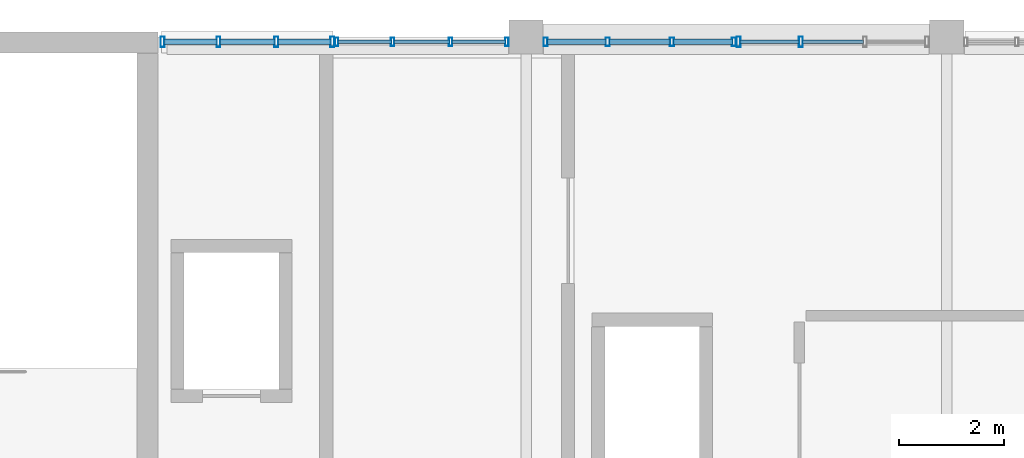
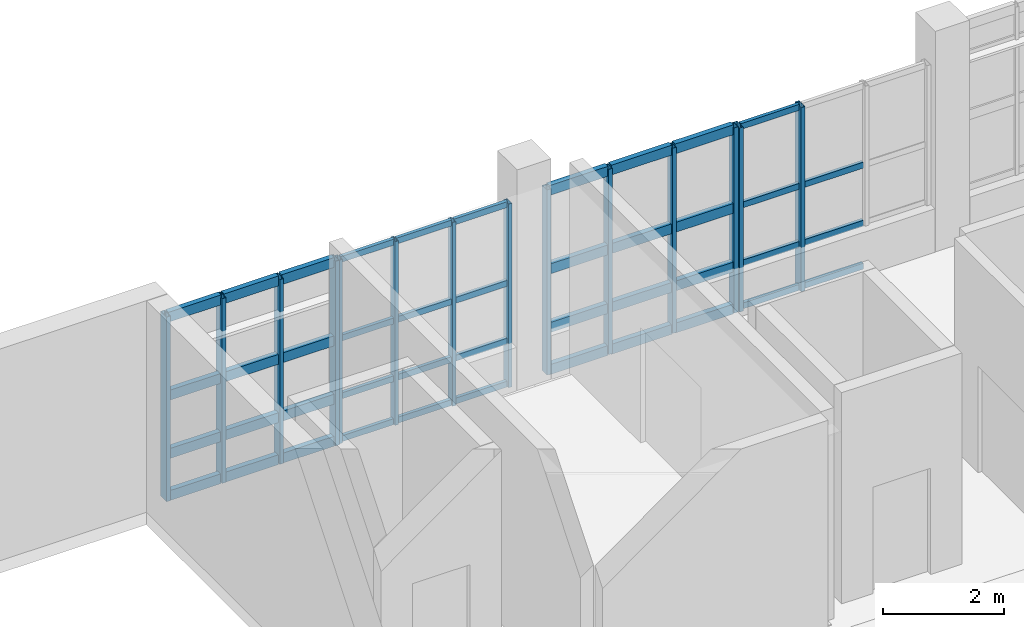
# One storey, part 15 of 38: 57 members, 4 elements without a shape of their own.
"""IFC4 building model written with IfcOpenShell, lengths in metres."""

from ifc_helpers import new_model, si_unit, derived_unit, direction, frame, origin, origin_2d, place, context, subcontext, project, spatial, hollow_rectangle, extrude, material, layer, layer_set, material_profile, profile_set, type_object, element, aggregate, save


model = new_model("IFC4")

# Units and contexts
model_context = context("Model", 3, precision=1e-05, world=origin(), true_north=direction((0.0, 1.0)))
body_context = subcontext(model_context, "Body", "Model", "MODEL_VIEW")
ifc_project = project(units=[si_unit("LENGTHUNIT", "METRE"), si_unit("AREAUNIT", "SQUARE_METRE"), si_unit("VOLUMEUNIT", "CUBIC_METRE"), si_unit("PLANEANGLEUNIT", "RADIAN"), si_unit("MASSUNIT", "GRAM", prefix="KILO"), derived_unit("THERMALTRANSMITTANCEUNIT", [(si_unit("POWERUNIT", "WATT"), 1), (si_unit("LENGTHUNIT", "METRE"), -2), (si_unit("THERMODYNAMICTEMPERATUREUNIT", "KELVIN"), -1)])], contexts=[model_context])

# Site, building, storey
site_placement = place(None, origin())
site = spatial("IfcSite", under=ifc_project, at=site_placement, CompositionType="ELEMENT")
building_placement = place(site_placement, origin())
building = spatial("IfcBuilding", under=site, at=building_placement, Name="Nallur Shell Playhouse", CompositionType="ELEMENT")
storey_placement = place(building_placement, frame((0.0, 0.0, 24.300048828125)))
storey = spatial("IfcBuildingStorey", under=building, at=storey_placement, Name="L06", CompositionType="ELEMENT", Elevation=24.300048828125)

# Curtain wall, members
ifc_material_1 = material(Name="Anodised Aluminium Double-Glazed Facade System", Category="aluminium")
ifc_layer_1 = layer(ifc_material_1, 0.16796875)
ifc_layer_set_1 = layer_set([ifc_layer_1], Name="Anodised Aluminium Double-Glazed Facade System")
curtain_wall_type_1 = type_object("IfcCurtainWallType", Name="CW-UNIT-02", PredefinedType="NOTDEFINED", material=ifc_layer_set_1)
curtain_wall_1_placement = place(storey_placement, origin())
curtain_wall_1 = element("IfcCurtainWall", 1, at=curtain_wall_1_placement, inside=storey, type_object=curtain_wall_type_1, Name="Unitised curtain wall CW-194 (L06)", PredefinedType="NOTDEFINED")
ifc_material_2 = material(Name="Aluminium Alloy 6063-T6 Mullion", Category="aluminium")
ifc_material_profile_1 = material_profile(ifc_material_2, hollow_rectangle(XDim=0.080078125, YDim=0.159912109375, WallThickness=0.006103515625, at=origin_2d()), Name="RHS 160x80x6")
ifc_profile_set_1 = profile_set([ifc_material_profile_1], Name="Aluminium Alloy 6063-T6 Mullion")
member_type_1 = type_object("IfcMemberType", Name="MB-CW-MUL150", PredefinedType="MULLION", material=ifc_profile_set_1)
member_1_placement = place(storey_placement, frame((40.373046875, 82.909912109375, -0.01513671875), z_axis=(0.0, 0.0, 1.0), x_axis=(1.0, 0.0, 0.0)))
member_1 = element("IfcMember", 2, at=member_1_placement, type_object=member_type_1, Name="CW-02 mullion 1", PredefinedType="MULLION", context=body_context, shape_type="SweptSolid", body=[
    extrude(hollow_rectangle(XDim=0.080078125, YDim=0.159912109375, WallThickness=0.006103515625, at=origin_2d()), origin(), (0.0, 0.0, 1.0), 3.744140625),
])
member_2_placement = place(storey_placement, frame((41.5537109375, 82.909912109375, -0.01513671875), z_axis=(0.0, 0.0, 1.0), x_axis=(1.0, 0.0, 0.0)))
member_2 = element("IfcMember", 3, at=member_2_placement, type_object=member_type_1, Name="CW-02 mullion 2", PredefinedType="MULLION", context=body_context, shape_type="SweptSolid", body=[
    extrude(hollow_rectangle(XDim=0.080078125, YDim=0.159912109375, WallThickness=0.006103515625, at=origin_2d()), origin(), (0.0, 0.0, 1.0), 3.744140625),
])
member_3_placement = place(storey_placement, frame((42.7744140625, 82.909912109375, -0.01513671875), z_axis=(0.0, 0.0, 1.0), x_axis=(1.0, 0.0, 0.0)))
member_3 = element("IfcMember", 4, at=member_3_placement, type_object=member_type_1, Name="CW-02 mullion 3", PredefinedType="MULLION", context=body_context, shape_type="SweptSolid", body=[
    extrude(hollow_rectangle(XDim=0.080078125, YDim=0.159912109375, WallThickness=0.006103515625, at=origin_2d()), origin(), (0.0, 0.0, 1.0), 3.744140625),
])
member_4_placement = place(storey_placement, frame((43.955078125, 82.909912109375, -0.01513671875), z_axis=(0.0, 0.0, 1.0), x_axis=(1.0, 0.0, 0.0)))
member_4 = element("IfcMember", 5, at=member_4_placement, type_object=member_type_1, Name="CW-02 mullion 4", PredefinedType="MULLION", context=body_context, shape_type="SweptSolid", body=[
    extrude(hollow_rectangle(XDim=0.080078125, YDim=0.159912109375, WallThickness=0.006103515625, at=origin_2d()), origin(), (0.0, 0.0, 1.0), 3.744140625),
])

ifc_layer_2 = layer(ifc_material_1, 0.1640625)
ifc_layer_set_2 = layer_set([ifc_layer_2], Name="Anodised Aluminium Double-Glazed Facade System")
curtain_wall_type_2 = type_object("IfcCurtainWallType", Name="CW-UNIT-01", PredefinedType="NOTDEFINED", material=ifc_layer_set_2)
curtain_wall_2_placement = place(storey_placement, origin())
curtain_wall_2 = element("IfcCurtainWall", 6, at=curtain_wall_2_placement, inside=storey, type_object=curtain_wall_type_2, Name="Unitised curtain wall CW-193 (L06)", PredefinedType="NOTDEFINED")
ifc_material_profile_2 = material_profile(ifc_material_2, hollow_rectangle(XDim=0.06494140625, YDim=0.159912109375, WallThickness=0.00390625, at=origin_2d()), Name="ALU 65x160x4")
ifc_profile_set_2 = profile_set([ifc_material_profile_2], Name="Aluminium Alloy 6063-T6 Mullion")
member_type_2 = type_object("IfcMemberType", Name="MB-CW-MUL160", PredefinedType="MULLION", material=ifc_profile_set_2)
member_5_placement = place(storey_placement, frame((36.39599609375, 82.909912109375, -0.01513671875), z_axis=(0.0, 0.0, 1.0), x_axis=(1.0, 0.0, 0.0)))
member_5 = element("IfcMember", 7, at=member_5_placement, type_object=member_type_2, Name="CW-01 mullion 1", PredefinedType="MULLION", context=body_context, shape_type="SweptSolid", body=[
    extrude(hollow_rectangle(XDim=0.06494140625, YDim=0.159912109375, WallThickness=0.00390625, at=origin_2d()), origin(), (0.0, 0.0, 1.0), 3.714111328125),
])
member_6_placement = place(storey_placement, frame((37.464599609375, 82.909912109375, -0.01513671875), z_axis=(0.0, 0.0, 1.0), x_axis=(1.0, 0.0, 0.0)))
member_6 = element("IfcMember", 8, at=member_6_placement, type_object=member_type_2, Name="CW-01 mullion 2", PredefinedType="MULLION", context=body_context, shape_type="SweptSolid", body=[
    extrude(hollow_rectangle(XDim=0.06494140625, YDim=0.159912109375, WallThickness=0.00390625, at=origin_2d()), origin(), (0.0, 0.0, 1.0), 3.714111328125),
])
member_7_placement = place(storey_placement, frame((38.56591796875, 82.909912109375, -0.01513671875), z_axis=(0.0, 0.0, 1.0), x_axis=(1.0, 0.0, 0.0)))
member_7 = element("IfcMember", 9, at=member_7_placement, type_object=member_type_2, Name="CW-01 mullion 3", PredefinedType="MULLION", context=body_context, shape_type="SweptSolid", body=[
    extrude(hollow_rectangle(XDim=0.06494140625, YDim=0.159912109375, WallThickness=0.00390625, at=origin_2d()), origin(), (0.0, 0.0, 1.0), 3.714111328125),
])
member_8_placement = place(storey_placement, frame((39.634521484375, 82.909912109375, -0.01513671875), z_axis=(0.0, 0.0, 1.0), x_axis=(1.0, 0.0, 0.0)))
member_8 = element("IfcMember", 10, at=member_8_placement, type_object=member_type_2, Name="CW-01 mullion 4", PredefinedType="MULLION", context=body_context, shape_type="SweptSolid", body=[
    extrude(hollow_rectangle(XDim=0.06494140625, YDim=0.159912109375, WallThickness=0.00390625, at=origin_2d()), origin(), (0.0, 0.0, 1.0), 3.714111328125),
])

ifc_layer_3 = layer(ifc_material_1, 0.16796875)
ifc_layer_set_3 = layer_set([ifc_layer_3], Name="Anodised Aluminium Double-Glazed Facade System")
curtain_wall_type_3 = type_object("IfcCurtainWallType", Name="CW-UNIT-32", PredefinedType="NOTDEFINED", material=ifc_layer_set_3)
curtain_wall_3_placement = place(storey_placement, origin())
curtain_wall_3 = element("IfcCurtainWall", 11, at=curtain_wall_3_placement, inside=storey, type_object=curtain_wall_type_3, Name="Unitised curtain wall CW-192 (L06)", PredefinedType="NOTDEFINED")
ifc_material_profile_3 = material_profile(ifc_material_2, hollow_rectangle(XDim=0.074951171875, YDim=0.199951171875, WallThickness=0.0048828125, at=origin_2d()), Name="ALU 75x200x5")
ifc_profile_set_3 = profile_set([ifc_material_profile_3], Name="Aluminium Alloy 6063-T6 Mullion")
member_type_3 = type_object("IfcMemberType", Name="MB-CW-MUL180", PredefinedType="MULLION", material=ifc_profile_set_3)
member_9_placement = place(storey_placement, frame((33.08740234375, 82.909912109375, -0.01513671875), z_axis=(0.0, 0.0, 1.0), x_axis=(1.0, 0.0, 0.0)))
member_9 = element("IfcMember", 12, at=member_9_placement, type_object=member_type_3, Name="CW-32 mullion 1", PredefinedType="MULLION", context=body_context, shape_type="SweptSolid", body=[
    extrude(hollow_rectangle(XDim=0.074951171875, YDim=0.199951171875, WallThickness=0.0048828125, at=origin_2d()), origin(), (0.0, 0.0, 1.0), 3.734130859375),
])
member_10_placement = place(storey_placement, frame((34.151123046875, 82.909912109375, -0.01513671875), z_axis=(0.0, 0.0, 1.0), x_axis=(1.0, 0.0, 0.0)))
member_10 = element("IfcMember", 13, at=member_10_placement, type_object=member_type_3, Name="CW-32 mullion 2", PredefinedType="MULLION", context=body_context, shape_type="SweptSolid", body=[
    extrude(hollow_rectangle(XDim=0.074951171875, YDim=0.199951171875, WallThickness=0.0048828125, at=origin_2d()), origin(), (0.0, 0.0, 1.0), 3.734130859375),
])
member_11_placement = place(storey_placement, frame((35.25244140625, 82.909912109375, -0.01513671875), z_axis=(0.0, 0.0, 1.0), x_axis=(1.0, 0.0, 0.0)))
member_11 = element("IfcMember", 14, at=member_11_placement, type_object=member_type_3, Name="CW-32 mullion 3", PredefinedType="MULLION", context=body_context, shape_type="SweptSolid", body=[
    extrude(hollow_rectangle(XDim=0.074951171875, YDim=0.199951171875, WallThickness=0.0048828125, at=origin_2d()), origin(), (0.0, 0.0, 1.0), 3.734130859375),
])
member_12_placement = place(storey_placement, frame((36.31591796875, 82.909912109375, -0.01513671875), z_axis=(0.0, 0.0, 1.0), x_axis=(1.0, 0.0, 0.0)))
member_12 = element("IfcMember", 15, at=member_12_placement, type_object=member_type_3, Name="CW-32 mullion 4", PredefinedType="MULLION", context=body_context, shape_type="SweptSolid", body=[
    extrude(hollow_rectangle(XDim=0.074951171875, YDim=0.199951171875, WallThickness=0.0048828125, at=origin_2d()), origin(), (0.0, 0.0, 1.0), 3.734130859375),
])

ifc_layer_4 = layer(ifc_material_1, 0.172119140625)
ifc_layer_set_4 = layer_set([ifc_layer_4], Name="Anodised Aluminium Double-Glazed Facade System")
curtain_wall_type_4 = type_object("IfcCurtainWallType", Name="CW-UNIT-03", PredefinedType="NOTDEFINED", material=ifc_layer_set_4)
curtain_wall_4_placement = place(storey_placement, origin())
curtain_wall_4 = element("IfcCurtainWall", 16, at=curtain_wall_4_placement, inside=storey, type_object=curtain_wall_type_4, Name="Unitised curtain wall CW-195 (L06)", PredefinedType="NOTDEFINED")
member_13_placement = place(storey_placement, frame((44.04248046875, 82.909912109375, -0.01513671875), z_axis=(0.0, 0.0, 1.0), x_axis=(1.0, 0.0, 0.0)))
member_13 = element("IfcMember", 17, at=member_13_placement, type_object=member_type_3, Name="CW-03 mullion 1", PredefinedType="MULLION", context=body_context, shape_type="SweptSolid", body=[
    extrude(hollow_rectangle(XDim=0.074951171875, YDim=0.199951171875, WallThickness=0.0048828125, at=origin_2d()), origin(), (0.0, 0.0, 1.0), 3.72412109375),
])
member_14_placement = place(storey_placement, frame((45.2255859375, 82.909912109375, -0.01513671875), z_axis=(0.0, 0.0, 1.0), x_axis=(1.0, 0.0, 0.0)))
member_14 = element("IfcMember", 18, at=member_14_placement, type_object=member_type_3, Name="CW-03 mullion 2", PredefinedType="MULLION", context=body_context, shape_type="SweptSolid", body=[
    extrude(hollow_rectangle(XDim=0.074951171875, YDim=0.199951171875, WallThickness=0.0048828125, at=origin_2d()), origin(), (0.0, 0.0, 1.0), 3.72412109375),
])

# Member
ifc_material_3 = material(Name="Aluminium Alloy 6063-T6 Transom", Category="aluminium")
ifc_material_profile_4 = material_profile(ifc_material_3, hollow_rectangle(XDim=0.06494140625, YDim=0.1201171875, WallThickness=0.00390625, at=origin_2d()), Name="ALU 65x120x4")
ifc_profile_set_4 = profile_set([ifc_material_profile_4], Name="Aluminium Alloy 6063-T6 Transom")
member_type_4 = type_object("IfcMemberType", Name="MB-CW-TRN120", PredefinedType="USERDEFINED", material=ifc_profile_set_4)
member_15_placement = place(storey_placement, frame((36.42041015625, 82.909912109375, 0.032470703125), z_axis=(1.0, 0.0, 0.0), x_axis=(0.0, 1.0, 0.0)))
member_15 = element("IfcMember", 19, at=member_15_placement, type_object=member_type_4, Name="CW-01 transom 1.1", ObjectType="TRANSOM", PredefinedType="USERDEFINED", context=body_context, shape_type="SweptSolid", body=[
    extrude(hollow_rectangle(XDim=0.06494140625, YDim=0.1201171875, WallThickness=0.00390625, at=origin_2d()), origin(), (0.0, 0.0, 1.0), 1.019775390625),
])

member_16_placement = place(storey_placement, frame((36.42041015625, 82.909912109375, 0.89990234375), z_axis=(1.0, 0.0, 0.0), x_axis=(0.0, 1.0, 0.0)))
member_16 = element("IfcMember", 20, at=member_16_placement, type_object=member_type_4, Name="CW-01 transom 1.2", ObjectType="TRANSOM", PredefinedType="USERDEFINED", context=body_context, shape_type="SweptSolid", body=[
    extrude(hollow_rectangle(XDim=0.06494140625, YDim=0.1201171875, WallThickness=0.00390625, at=origin_2d()), origin(), (0.0, 0.0, 1.0), 1.019775390625),
])

member_17_placement = place(storey_placement, frame((36.42041015625, 82.909912109375, 2.06884765625), z_axis=(1.0, 0.0, 0.0), x_axis=(0.0, 1.0, 0.0)))
member_17 = element("IfcMember", 21, at=member_17_placement, type_object=member_type_4, Name="CW-01 transom 1.3", ObjectType="TRANSOM", PredefinedType="USERDEFINED", context=body_context, shape_type="SweptSolid", body=[
    extrude(hollow_rectangle(XDim=0.06494140625, YDim=0.1201171875, WallThickness=0.00390625, at=origin_2d()), origin(), (0.0, 0.0, 1.0), 1.019775390625),
])

member_18_placement = place(storey_placement, frame((36.42041015625, 82.909912109375, 3.662353515625), z_axis=(1.0, 0.0, 0.0), x_axis=(0.0, 1.0, 0.0)))
member_18 = element("IfcMember", 22, at=member_18_placement, type_object=member_type_4, Name="CW-01 transom 1.4", ObjectType="TRANSOM", PredefinedType="USERDEFINED", context=body_context, shape_type="SweptSolid", body=[
    extrude(hollow_rectangle(XDim=0.06494140625, YDim=0.1201171875, WallThickness=0.00390625, at=origin_2d()), origin(), (0.0, 0.0, 1.0), 1.019775390625),
])

member_19_placement = place(storey_placement, frame((37.4892578125, 82.909912109375, 0.032470703125), z_axis=(1.0, 0.0, 0.0), x_axis=(0.0, 1.0, 0.0)))
member_19 = element("IfcMember", 23, at=member_19_placement, type_object=member_type_4, Name="CW-01 transom 2.1", ObjectType="TRANSOM", PredefinedType="USERDEFINED", context=body_context, shape_type="SweptSolid", body=[
    extrude(hollow_rectangle(XDim=0.06494140625, YDim=0.1201171875, WallThickness=0.00390625, at=origin_2d()), origin(), (0.0, 0.0, 1.0), 1.052001953125),
])

member_20_placement = place(storey_placement, frame((37.4892578125, 82.909912109375, 0.89990234375), z_axis=(1.0, 0.0, 0.0), x_axis=(0.0, 1.0, 0.0)))
member_20 = element("IfcMember", 24, at=member_20_placement, type_object=member_type_4, Name="CW-01 transom 2.2", ObjectType="TRANSOM", PredefinedType="USERDEFINED", context=body_context, shape_type="SweptSolid", body=[
    extrude(hollow_rectangle(XDim=0.06494140625, YDim=0.1201171875, WallThickness=0.00390625, at=origin_2d()), origin(), (0.0, 0.0, 1.0), 1.052001953125),
])

member_21_placement = place(storey_placement, frame((37.4892578125, 82.909912109375, 2.06884765625), z_axis=(1.0, 0.0, 0.0), x_axis=(0.0, 1.0, 0.0)))
member_21 = element("IfcMember", 25, at=member_21_placement, type_object=member_type_4, Name="CW-01 transom 2.3", ObjectType="TRANSOM", PredefinedType="USERDEFINED", context=body_context, shape_type="SweptSolid", body=[
    extrude(hollow_rectangle(XDim=0.06494140625, YDim=0.1201171875, WallThickness=0.00390625, at=origin_2d()), origin(), (0.0, 0.0, 1.0), 1.052001953125),
])

member_22_placement = place(storey_placement, frame((37.4892578125, 82.909912109375, 3.662353515625), z_axis=(1.0, 0.0, 0.0), x_axis=(0.0, 1.0, 0.0)))
member_22 = element("IfcMember", 26, at=member_22_placement, type_object=member_type_4, Name="CW-01 transom 2.4", ObjectType="TRANSOM", PredefinedType="USERDEFINED", context=body_context, shape_type="SweptSolid", body=[
    extrude(hollow_rectangle(XDim=0.06494140625, YDim=0.1201171875, WallThickness=0.00390625, at=origin_2d()), origin(), (0.0, 0.0, 1.0), 1.052001953125),
])

member_23_placement = place(storey_placement, frame((38.59033203125, 82.909912109375, 0.032470703125), z_axis=(1.0, 0.0, 0.0), x_axis=(0.0, 1.0, 0.0)))
member_23 = element("IfcMember", 27, at=member_23_placement, type_object=member_type_4, Name="CW-01 transom 3.1", ObjectType="TRANSOM", PredefinedType="USERDEFINED", context=body_context, shape_type="SweptSolid", body=[
    extrude(hollow_rectangle(XDim=0.06494140625, YDim=0.1201171875, WallThickness=0.00390625, at=origin_2d()), origin(), (0.0, 0.0, 1.0), 1.019775390625),
])

member_24_placement = place(storey_placement, frame((38.59033203125, 82.909912109375, 0.89990234375), z_axis=(1.0, 0.0, 0.0), x_axis=(0.0, 1.0, 0.0)))
member_24 = element("IfcMember", 28, at=member_24_placement, type_object=member_type_4, Name="CW-01 transom 3.2", ObjectType="TRANSOM", PredefinedType="USERDEFINED", context=body_context, shape_type="SweptSolid", body=[
    extrude(hollow_rectangle(XDim=0.06494140625, YDim=0.1201171875, WallThickness=0.00390625, at=origin_2d()), origin(), (0.0, 0.0, 1.0), 1.019775390625),
])

member_25_placement = place(storey_placement, frame((38.59033203125, 82.909912109375, 2.06884765625), z_axis=(1.0, 0.0, 0.0), x_axis=(0.0, 1.0, 0.0)))
member_25 = element("IfcMember", 29, at=member_25_placement, type_object=member_type_4, Name="CW-01 transom 3.3", ObjectType="TRANSOM", PredefinedType="USERDEFINED", context=body_context, shape_type="SweptSolid", body=[
    extrude(hollow_rectangle(XDim=0.06494140625, YDim=0.1201171875, WallThickness=0.00390625, at=origin_2d()), origin(), (0.0, 0.0, 1.0), 1.019775390625),
])

member_26_placement = place(storey_placement, frame((38.59033203125, 82.909912109375, 3.662353515625), z_axis=(1.0, 0.0, 0.0), x_axis=(0.0, 1.0, 0.0)))
member_26 = element("IfcMember", 30, at=member_26_placement, type_object=member_type_4, Name="CW-01 transom 3.4", ObjectType="TRANSOM", PredefinedType="USERDEFINED", context=body_context, shape_type="SweptSolid", body=[
    extrude(hollow_rectangle(XDim=0.06494140625, YDim=0.1201171875, WallThickness=0.00390625, at=origin_2d()), origin(), (0.0, 0.0, 1.0), 1.019775390625),
])

aggregate(curtain_wall_2, [member_5, member_6, member_7, member_8, member_15, member_16, member_17, member_18, member_19, member_20, member_21, member_22, member_23, member_24, member_25, member_26])

member_27_placement = place(storey_placement, frame((44.072021484375, 82.909912109375, 0.032470703125), z_axis=(1.0, 0.0, 0.0), x_axis=(0.0, 1.0, 0.0)))
member_27 = element("IfcMember", 31, at=member_27_placement, type_object=member_type_4, Name="CW-03 transom 1.1", ObjectType="TRANSOM", PredefinedType="USERDEFINED", context=body_context, shape_type="SweptSolid", body=[
    extrude(hollow_rectangle(XDim=0.06494140625, YDim=0.1201171875, WallThickness=0.00390625, at=origin_2d()), origin(), (0.0, 0.0, 1.0), 1.1240234375),
])

member_28_placement = place(storey_placement, frame((44.072021484375, 82.909912109375, 0.89990234375), z_axis=(1.0, 0.0, 0.0), x_axis=(0.0, 1.0, 0.0)))
member_28 = element("IfcMember", 32, at=member_28_placement, type_object=member_type_4, Name="CW-03 transom 1.2", ObjectType="TRANSOM", PredefinedType="USERDEFINED", context=body_context, shape_type="SweptSolid", body=[
    extrude(hollow_rectangle(XDim=0.06494140625, YDim=0.1201171875, WallThickness=0.00390625, at=origin_2d()), origin(), (0.0, 0.0, 1.0), 1.1240234375),
])

member_29_placement = place(storey_placement, frame((44.072021484375, 82.909912109375, 2.074951171875), z_axis=(1.0, 0.0, 0.0), x_axis=(0.0, 1.0, 0.0)))
member_29 = element("IfcMember", 33, at=member_29_placement, type_object=member_type_4, Name="CW-03 transom 1.3", ObjectType="TRANSOM", PredefinedType="USERDEFINED", context=body_context, shape_type="SweptSolid", body=[
    extrude(hollow_rectangle(XDim=0.06494140625, YDim=0.1201171875, WallThickness=0.00390625, at=origin_2d()), origin(), (0.0, 0.0, 1.0), 1.1240234375),
])

member_30_placement = place(storey_placement, frame((44.072021484375, 82.909912109375, 3.67236328125), z_axis=(1.0, 0.0, 0.0), x_axis=(0.0, 1.0, 0.0)))
member_30 = element("IfcMember", 34, at=member_30_placement, type_object=member_type_4, Name="CW-03 transom 1.4", ObjectType="TRANSOM", PredefinedType="USERDEFINED", context=body_context, shape_type="SweptSolid", body=[
    extrude(hollow_rectangle(XDim=0.06494140625, YDim=0.1201171875, WallThickness=0.00390625, at=origin_2d()), origin(), (0.0, 0.0, 1.0), 1.1240234375),
])

member_31_placement = place(storey_placement, frame((45.255126953125, 82.909912109375, 0.032470703125), z_axis=(1.0, 0.0, 0.0), x_axis=(0.0, 1.0, 0.0)))
member_31 = element("IfcMember", 35, at=member_31_placement, type_object=member_type_4, Name="CW-03 transom 2.1", ObjectType="TRANSOM", PredefinedType="USERDEFINED", context=body_context, shape_type="SweptSolid", body=[
    extrude(hollow_rectangle(XDim=0.06494140625, YDim=0.1201171875, WallThickness=0.00390625, at=origin_2d()), origin(), (0.0, 0.0, 1.0), 1.16162109375),
])

member_32_placement = place(storey_placement, frame((45.255126953125, 82.909912109375, 0.89990234375), z_axis=(1.0, 0.0, 0.0), x_axis=(0.0, 1.0, 0.0)))
member_32 = element("IfcMember", 36, at=member_32_placement, type_object=member_type_4, Name="CW-03 transom 2.2", ObjectType="TRANSOM", PredefinedType="USERDEFINED", context=body_context, shape_type="SweptSolid", body=[
    extrude(hollow_rectangle(XDim=0.06494140625, YDim=0.1201171875, WallThickness=0.00390625, at=origin_2d()), origin(), (0.0, 0.0, 1.0), 1.16162109375),
])

member_33_placement = place(storey_placement, frame((45.255126953125, 82.909912109375, 2.074951171875), z_axis=(1.0, 0.0, 0.0), x_axis=(0.0, 1.0, 0.0)))
member_33 = element("IfcMember", 37, at=member_33_placement, type_object=member_type_4, Name="CW-03 transom 2.3", ObjectType="TRANSOM", PredefinedType="USERDEFINED", context=body_context, shape_type="SweptSolid", body=[
    extrude(hollow_rectangle(XDim=0.06494140625, YDim=0.1201171875, WallThickness=0.00390625, at=origin_2d()), origin(), (0.0, 0.0, 1.0), 1.16162109375),
])

aggregate(curtain_wall_4, [member_13, member_14, member_27, member_28, member_29, member_30, member_31, member_32, member_33])

ifc_material_profile_5 = material_profile(ifc_material_3, hollow_rectangle(XDim=0.10009765625, YDim=0.199951171875, WallThickness=0.008056640625, at=origin_2d()), Name="RHS 200x100x8")
ifc_profile_set_5 = profile_set([ifc_material_profile_5], Name="Aluminium Alloy 6063-T6 Transom")
member_type_5 = type_object("IfcMemberType", Name="MB-CW-TRN140", PredefinedType="USERDEFINED", material=ifc_profile_set_5)
member_34_placement = place(storey_placement, frame((33.116943359375, 82.909912109375, 0.050048828125), z_axis=(1.0, 0.0, 0.0), x_axis=(0.0, 1.0, 0.0)))
member_34 = element("IfcMember", 38, at=member_34_placement, type_object=member_type_5, Name="CW-32 transom 1.1", ObjectType="TRANSOM", PredefinedType="USERDEFINED", context=body_context, shape_type="SweptSolid", body=[
    extrude(hollow_rectangle(XDim=0.10009765625, YDim=0.199951171875, WallThickness=0.008056640625, at=origin_2d()), origin(), (0.0, 0.0, 1.0), 1.004638671875),
])

member_35_placement = place(storey_placement, frame((33.116943359375, 82.909912109375, 0.89990234375), z_axis=(1.0, 0.0, 0.0), x_axis=(0.0, 1.0, 0.0)))
member_35 = element("IfcMember", 39, at=member_35_placement, type_object=member_type_5, Name="CW-32 transom 1.2", ObjectType="TRANSOM", PredefinedType="USERDEFINED", context=body_context, shape_type="SweptSolid", body=[
    extrude(hollow_rectangle(XDim=0.10009765625, YDim=0.199951171875, WallThickness=0.008056640625, at=origin_2d()), origin(), (0.0, 0.0, 1.0), 1.004638671875),
])

member_36_placement = place(storey_placement, frame((33.116943359375, 82.909912109375, 2.079833984375), z_axis=(1.0, 0.0, 0.0), x_axis=(0.0, 1.0, 0.0)))
member_36 = element("IfcMember", 40, at=member_36_placement, type_object=member_type_5, Name="CW-32 transom 1.3", ObjectType="TRANSOM", PredefinedType="USERDEFINED", context=body_context, shape_type="SweptSolid", body=[
    extrude(hollow_rectangle(XDim=0.10009765625, YDim=0.199951171875, WallThickness=0.008056640625, at=origin_2d()), origin(), (0.0, 0.0, 1.0), 1.004638671875),
])

member_37_placement = place(storey_placement, frame((33.116943359375, 82.909912109375, 3.6650390625), z_axis=(1.0, 0.0, 0.0), x_axis=(0.0, 1.0, 0.0)))
member_37 = element("IfcMember", 41, at=member_37_placement, type_object=member_type_5, Name="CW-32 transom 1.4", ObjectType="TRANSOM", PredefinedType="USERDEFINED", context=body_context, shape_type="SweptSolid", body=[
    extrude(hollow_rectangle(XDim=0.10009765625, YDim=0.199951171875, WallThickness=0.008056640625, at=origin_2d()), origin(), (0.0, 0.0, 1.0), 1.004638671875),
])

member_38_placement = place(storey_placement, frame((34.1806640625, 82.909912109375, 0.050048828125), z_axis=(1.0, 0.0, 0.0), x_axis=(0.0, 1.0, 0.0)))
member_38 = element("IfcMember", 42, at=member_38_placement, type_object=member_type_5, Name="CW-32 transom 2.1", ObjectType="TRANSOM", PredefinedType="USERDEFINED", context=body_context, shape_type="SweptSolid", body=[
    extrude(hollow_rectangle(XDim=0.10009765625, YDim=0.199951171875, WallThickness=0.008056640625, at=origin_2d()), origin(), (0.0, 0.0, 1.0), 1.042236328125),
])

member_39_placement = place(storey_placement, frame((34.1806640625, 82.909912109375, 0.89990234375), z_axis=(1.0, 0.0, 0.0), x_axis=(0.0, 1.0, 0.0)))
member_39 = element("IfcMember", 43, at=member_39_placement, type_object=member_type_5, Name="CW-32 transom 2.2", ObjectType="TRANSOM", PredefinedType="USERDEFINED", context=body_context, shape_type="SweptSolid", body=[
    extrude(hollow_rectangle(XDim=0.10009765625, YDim=0.199951171875, WallThickness=0.008056640625, at=origin_2d()), origin(), (0.0, 0.0, 1.0), 1.042236328125),
])

member_40_placement = place(storey_placement, frame((34.1806640625, 82.909912109375, 2.079833984375), z_axis=(1.0, 0.0, 0.0), x_axis=(0.0, 1.0, 0.0)))
member_40 = element("IfcMember", 44, at=member_40_placement, type_object=member_type_5, Name="CW-32 transom 2.3", ObjectType="TRANSOM", PredefinedType="USERDEFINED", context=body_context, shape_type="SweptSolid", body=[
    extrude(hollow_rectangle(XDim=0.10009765625, YDim=0.199951171875, WallThickness=0.008056640625, at=origin_2d()), origin(), (0.0, 0.0, 1.0), 1.042236328125),
])

member_41_placement = place(storey_placement, frame((34.1806640625, 82.909912109375, 3.6650390625), z_axis=(1.0, 0.0, 0.0), x_axis=(0.0, 1.0, 0.0)))
member_41 = element("IfcMember", 45, at=member_41_placement, type_object=member_type_5, Name="CW-32 transom 2.4", ObjectType="TRANSOM", PredefinedType="USERDEFINED", context=body_context, shape_type="SweptSolid", body=[
    extrude(hollow_rectangle(XDim=0.10009765625, YDim=0.199951171875, WallThickness=0.008056640625, at=origin_2d()), origin(), (0.0, 0.0, 1.0), 1.042236328125),
])

member_42_placement = place(storey_placement, frame((35.28173828125, 82.909912109375, 0.050048828125), z_axis=(1.0, 0.0, 0.0), x_axis=(0.0, 1.0, 0.0)))
member_42 = element("IfcMember", 46, at=member_42_placement, type_object=member_type_5, Name="CW-32 transom 3.1", ObjectType="TRANSOM", PredefinedType="USERDEFINED", context=body_context, shape_type="SweptSolid", body=[
    extrude(hollow_rectangle(XDim=0.10009765625, YDim=0.199951171875, WallThickness=0.008056640625, at=origin_2d()), origin(), (0.0, 0.0, 1.0), 1.0048828125),
])

member_43_placement = place(storey_placement, frame((35.28173828125, 82.909912109375, 0.89990234375), z_axis=(1.0, 0.0, 0.0), x_axis=(0.0, 1.0, 0.0)))
member_43 = element("IfcMember", 47, at=member_43_placement, type_object=member_type_5, Name="CW-32 transom 3.2", ObjectType="TRANSOM", PredefinedType="USERDEFINED", context=body_context, shape_type="SweptSolid", body=[
    extrude(hollow_rectangle(XDim=0.10009765625, YDim=0.199951171875, WallThickness=0.008056640625, at=origin_2d()), origin(), (0.0, 0.0, 1.0), 1.0048828125),
])

member_44_placement = place(storey_placement, frame((35.28173828125, 82.909912109375, 2.079833984375), z_axis=(1.0, 0.0, 0.0), x_axis=(0.0, 1.0, 0.0)))
member_44 = element("IfcMember", 48, at=member_44_placement, type_object=member_type_5, Name="CW-32 transom 3.3", ObjectType="TRANSOM", PredefinedType="USERDEFINED", context=body_context, shape_type="SweptSolid", body=[
    extrude(hollow_rectangle(XDim=0.10009765625, YDim=0.199951171875, WallThickness=0.008056640625, at=origin_2d()), origin(), (0.0, 0.0, 1.0), 1.0048828125),
])

member_45_placement = place(storey_placement, frame((35.28173828125, 82.909912109375, 3.6650390625), z_axis=(1.0, 0.0, 0.0), x_axis=(0.0, 1.0, 0.0)))
member_45 = element("IfcMember", 49, at=member_45_placement, type_object=member_type_5, Name="CW-32 transom 3.4", ObjectType="TRANSOM", PredefinedType="USERDEFINED", context=body_context, shape_type="SweptSolid", body=[
    extrude(hollow_rectangle(XDim=0.10009765625, YDim=0.199951171875, WallThickness=0.008056640625, at=origin_2d()), origin(), (0.0, 0.0, 1.0), 1.0048828125),
])

aggregate(curtain_wall_3, [member_9, member_10, member_11, member_12, member_34, member_35, member_36, member_37, member_38, member_39, member_40, member_41, member_42, member_43, member_44, member_45])

member_46_placement = place(storey_placement, frame((40.405029296875, 82.909912109375, 0.050048828125), z_axis=(1.0, 0.0, 0.0), x_axis=(0.0, 1.0, 0.0)))
member_46 = element("IfcMember", 50, at=member_46_placement, type_object=member_type_5, Name="CW-02 transom 1.1", ObjectType="TRANSOM", PredefinedType="USERDEFINED", context=body_context, shape_type="SweptSolid", body=[
    extrude(hollow_rectangle(XDim=0.10009765625, YDim=0.199951171875, WallThickness=0.008056640625, at=origin_2d()), origin(), (0.0, 0.0, 1.0), 1.11669921875),
])

member_47_placement = place(storey_placement, frame((40.405029296875, 82.909912109375, 0.89990234375), z_axis=(1.0, 0.0, 0.0), x_axis=(0.0, 1.0, 0.0)))
member_47 = element("IfcMember", 51, at=member_47_placement, type_object=member_type_5, Name="CW-02 transom 1.2", ObjectType="TRANSOM", PredefinedType="USERDEFINED", context=body_context, shape_type="SweptSolid", body=[
    extrude(hollow_rectangle(XDim=0.10009765625, YDim=0.199951171875, WallThickness=0.008056640625, at=origin_2d()), origin(), (0.0, 0.0, 1.0), 1.11669921875),
])

member_48_placement = place(storey_placement, frame((40.405029296875, 82.909912109375, 2.0859375), z_axis=(1.0, 0.0, 0.0), x_axis=(0.0, 1.0, 0.0)))
member_48 = element("IfcMember", 52, at=member_48_placement, type_object=member_type_5, Name="CW-02 transom 1.3", ObjectType="TRANSOM", PredefinedType="USERDEFINED", context=body_context, shape_type="SweptSolid", body=[
    extrude(hollow_rectangle(XDim=0.10009765625, YDim=0.199951171875, WallThickness=0.008056640625, at=origin_2d()), origin(), (0.0, 0.0, 1.0), 1.11669921875),
])

member_49_placement = place(storey_placement, frame((40.405029296875, 82.909912109375, 3.675048828125), z_axis=(1.0, 0.0, 0.0), x_axis=(0.0, 1.0, 0.0)))
member_49 = element("IfcMember", 53, at=member_49_placement, type_object=member_type_5, Name="CW-02 transom 1.4", ObjectType="TRANSOM", PredefinedType="USERDEFINED", context=body_context, shape_type="SweptSolid", body=[
    extrude(hollow_rectangle(XDim=0.10009765625, YDim=0.199951171875, WallThickness=0.008056640625, at=origin_2d()), origin(), (0.0, 0.0, 1.0), 1.11669921875),
])

member_50_placement = place(storey_placement, frame((41.585693359375, 82.909912109375, 0.050048828125), z_axis=(1.0, 0.0, 0.0), x_axis=(0.0, 1.0, 0.0)))
member_50 = element("IfcMember", 54, at=member_50_placement, type_object=member_type_5, Name="CW-02 transom 2.1", ObjectType="TRANSOM", PredefinedType="USERDEFINED", context=body_context, shape_type="SweptSolid", body=[
    extrude(hollow_rectangle(XDim=0.10009765625, YDim=0.199951171875, WallThickness=0.008056640625, at=origin_2d()), origin(), (0.0, 0.0, 1.0), 1.15673828125),
])

member_51_placement = place(storey_placement, frame((41.585693359375, 82.909912109375, 0.89990234375), z_axis=(1.0, 0.0, 0.0), x_axis=(0.0, 1.0, 0.0)))
member_51 = element("IfcMember", 55, at=member_51_placement, type_object=member_type_5, Name="CW-02 transom 2.2", ObjectType="TRANSOM", PredefinedType="USERDEFINED", context=body_context, shape_type="SweptSolid", body=[
    extrude(hollow_rectangle(XDim=0.10009765625, YDim=0.199951171875, WallThickness=0.008056640625, at=origin_2d()), origin(), (0.0, 0.0, 1.0), 1.15673828125),
])

member_52_placement = place(storey_placement, frame((41.585693359375, 82.909912109375, 2.0859375), z_axis=(1.0, 0.0, 0.0), x_axis=(0.0, 1.0, 0.0)))
member_52 = element("IfcMember", 56, at=member_52_placement, type_object=member_type_5, Name="CW-02 transom 2.3", ObjectType="TRANSOM", PredefinedType="USERDEFINED", context=body_context, shape_type="SweptSolid", body=[
    extrude(hollow_rectangle(XDim=0.10009765625, YDim=0.199951171875, WallThickness=0.008056640625, at=origin_2d()), origin(), (0.0, 0.0, 1.0), 1.15673828125),
])

member_53_placement = place(storey_placement, frame((41.585693359375, 82.909912109375, 3.675048828125), z_axis=(1.0, 0.0, 0.0), x_axis=(0.0, 1.0, 0.0)))
member_53 = element("IfcMember", 57, at=member_53_placement, type_object=member_type_5, Name="CW-02 transom 2.4", ObjectType="TRANSOM", PredefinedType="USERDEFINED", context=body_context, shape_type="SweptSolid", body=[
    extrude(hollow_rectangle(XDim=0.10009765625, YDim=0.199951171875, WallThickness=0.008056640625, at=origin_2d()), origin(), (0.0, 0.0, 1.0), 1.15673828125),
])

member_54_placement = place(storey_placement, frame((42.806396484375, 82.909912109375, 0.050048828125), z_axis=(1.0, 0.0, 0.0), x_axis=(0.0, 1.0, 0.0)))
member_54 = element("IfcMember", 58, at=member_54_placement, type_object=member_type_5, Name="CW-02 transom 3.1", ObjectType="TRANSOM", PredefinedType="USERDEFINED", context=body_context, shape_type="SweptSolid", body=[
    extrude(hollow_rectangle(XDim=0.10009765625, YDim=0.199951171875, WallThickness=0.008056640625, at=origin_2d()), origin(), (0.0, 0.0, 1.0), 1.11669921875),
])

member_55_placement = place(storey_placement, frame((42.806396484375, 82.909912109375, 0.89990234375), z_axis=(1.0, 0.0, 0.0), x_axis=(0.0, 1.0, 0.0)))
member_55 = element("IfcMember", 59, at=member_55_placement, type_object=member_type_5, Name="CW-02 transom 3.2", ObjectType="TRANSOM", PredefinedType="USERDEFINED", context=body_context, shape_type="SweptSolid", body=[
    extrude(hollow_rectangle(XDim=0.10009765625, YDim=0.199951171875, WallThickness=0.008056640625, at=origin_2d()), origin(), (0.0, 0.0, 1.0), 1.11669921875),
])

member_56_placement = place(storey_placement, frame((42.806396484375, 82.909912109375, 2.0859375), z_axis=(1.0, 0.0, 0.0), x_axis=(0.0, 1.0, 0.0)))
member_56 = element("IfcMember", 60, at=member_56_placement, type_object=member_type_5, Name="CW-02 transom 3.3", ObjectType="TRANSOM", PredefinedType="USERDEFINED", context=body_context, shape_type="SweptSolid", body=[
    extrude(hollow_rectangle(XDim=0.10009765625, YDim=0.199951171875, WallThickness=0.008056640625, at=origin_2d()), origin(), (0.0, 0.0, 1.0), 1.11669921875),
])

member_57_placement = place(storey_placement, frame((42.806396484375, 82.909912109375, 3.675048828125), z_axis=(1.0, 0.0, 0.0), x_axis=(0.0, 1.0, 0.0)))
member_57 = element("IfcMember", 61, at=member_57_placement, type_object=member_type_5, Name="CW-02 transom 3.4", ObjectType="TRANSOM", PredefinedType="USERDEFINED", context=body_context, shape_type="SweptSolid", body=[
    extrude(hollow_rectangle(XDim=0.10009765625, YDim=0.199951171875, WallThickness=0.008056640625, at=origin_2d()), origin(), (0.0, 0.0, 1.0), 1.11669921875),
])

aggregate(curtain_wall_1, [member_1, member_2, member_3, member_4, member_46, member_47, member_48, member_49, member_50, member_51, member_52, member_53, member_54, member_55, member_56, member_57])

save(model, "model.ifc")
